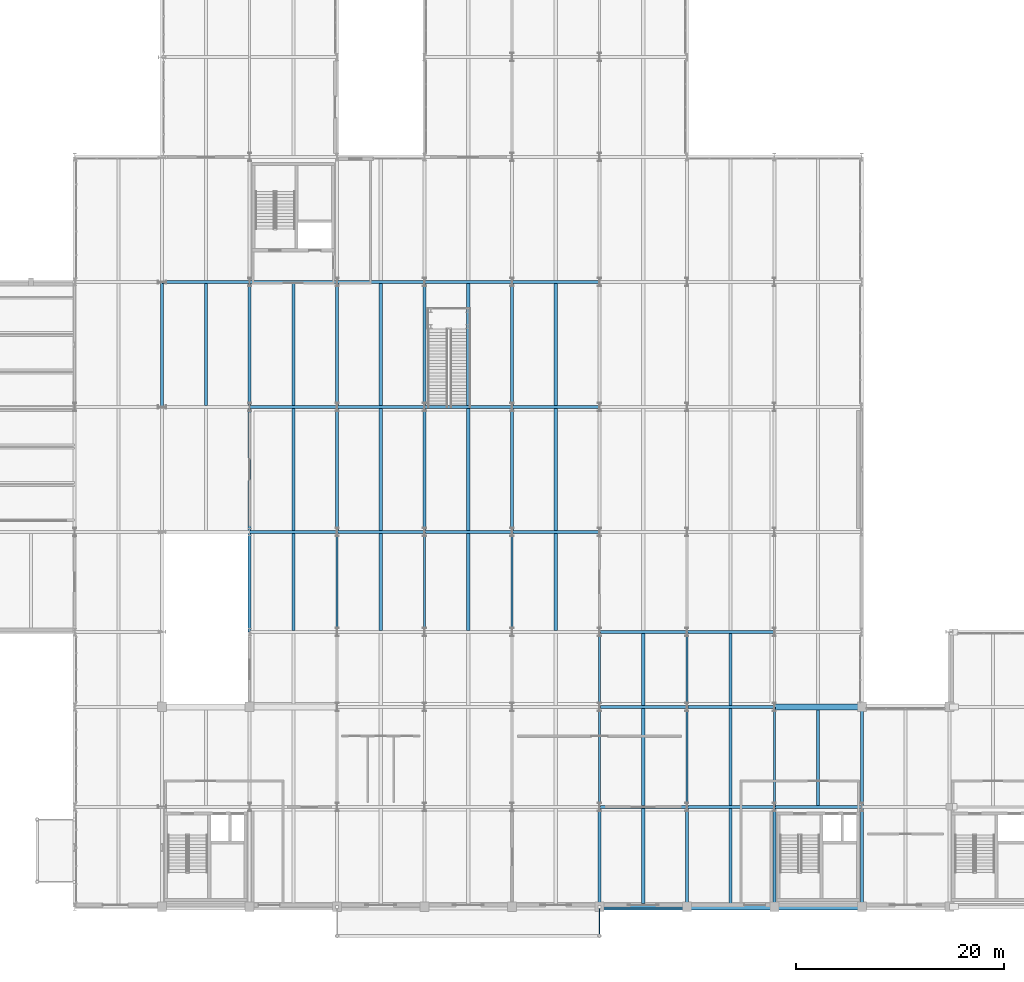
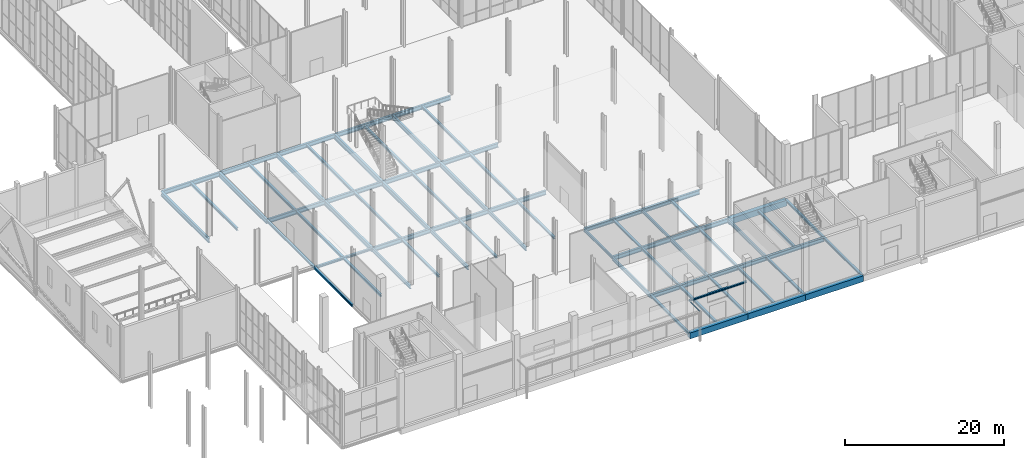
# One storey, part 25 of 131: 68 beams, 1 member.
"""IFC4 building model written with IfcOpenShell, lengths in metres."""

from ifc_helpers import new_model, si_unit, direction, frame, origin, origin_2d, place, context, subcontext, project, spatial, rectangle, hollow_rectangle, i_section, extrude, material, material_profile, profile_set, type_object, element, save


model = new_model("IFC4")

# Units and contexts
model_context = context("Model", 3, precision=1e-05, world=origin(), true_north=direction((0.0, 1.0)))
body_context = subcontext(model_context, "Body", "Model", "MODEL_VIEW")
ifc_project = project(units=[si_unit("LENGTHUNIT", "METRE"), si_unit("AREAUNIT", "SQUARE_METRE"), si_unit("VOLUMEUNIT", "CUBIC_METRE"), si_unit("PLANEANGLEUNIT", "RADIAN"), si_unit("MASSUNIT", "GRAM", prefix="KILO")], contexts=[model_context])

# Site, building, storey
site_placement = place(None, origin())
site = spatial("IfcSite", under=ifc_project, at=site_placement, CompositionType="ELEMENT")
building_placement = place(site_placement, origin())
building = spatial("IfcBuilding", under=site, at=building_placement, Name="Veltarok Museum of Natural Sciences", CompositionType="ELEMENT")
storey_placement = place(building_placement, origin())
storey = spatial("IfcBuildingStorey", under=building, at=storey_placement, Name="L00", CompositionType="ELEMENT", Elevation=0.0)

# Beam
ifc_material_1 = material(Name="Steel S355J2", Category="steel")
ifc_material_profile_1 = material_profile(ifc_material_1, i_section(OverallWidth=0.300048828125, OverallDepth=0.800048828125, WebThickness=0.017578125, FlangeThickness=0.032958984375, FilletRadius=0.030029296875, at=origin_2d()), Name="HEB 800")
ifc_profile_set_1 = profile_set([ifc_material_profile_1], Name="Steel S355J2")
beam_type_1 = type_object("IfcBeamType", Name="Atrium Edge Transfer Girder HEB 800", PredefinedType="BEAM", material=ifc_profile_set_1)
beam_1_placement = place(storey_placement, frame((56.800048828125, 48.0, -0.699951171875), z_axis=(0.0, 1.0, 0.0), x_axis=(-1.0, 0.0, 0.0)))
element("IfcBeam", 1, at=beam_1_placement, inside=storey, type_object=beam_type_1, Name="Beam BM-G06 L00 7/F-G", PredefinedType="BEAM", context=body_context, shape_type="SweptSolid", body=[
    extrude(i_section(OverallWidth=0.300048828125, OverallDepth=0.800048828125, WebThickness=0.017578125, FlangeThickness=0.032958984375, FilletRadius=0.030029296875, at=origin_2d()), origin(), (0.0, 0.0, 1.0), 12.0),
])

# Member
ifc_material_profile_2 = material_profile(ifc_material_1, hollow_rectangle(XDim=0.06005859375, YDim=0.1201171875, WallThickness=0.0048828125, at=origin_2d()), Name="RHS 120x60x5")
ifc_profile_set_2 = profile_set([ifc_material_profile_2], Name="Steel S355J2")
member_type = type_object("IfcMemberType", Name="Canopy Glazing Purlin RHS 120x60x5", PredefinedType="PURLIN", material=ifc_profile_set_2)
member_placement = place(storey_placement, frame((73.60009765625, -2.800048828125, 4.5400390625), z_axis=(0.0, 1.0, 0.0), x_axis=(-1.0, 0.0, 0.0)))
element("IfcMember", 2, at=member_placement, inside=storey, type_object=member_type, Name="Canopy Purlin CAN-S-2", PredefinedType="PURLIN", context=body_context, shape_type="SweptSolid", body=[
    extrude(hollow_rectangle(XDim=0.06005859375, YDim=0.1201171875, WallThickness=0.0048828125, at=origin_2d()), origin(), (0.0, 0.0, 1.0), 2.800048828125),
])

# Beams
ifc_material_2 = material(Name="Concrete C40/50", Category="concrete")
ifc_material_profile_3 = material_profile(ifc_material_2, rectangle(XDim=0.60009765625, YDim=0.89990234375, at=origin_2d()), Name="RC 600x900")
ifc_profile_set_3 = profile_set([ifc_material_profile_3], Name="Concrete C40/50")
beam_type_2 = type_object("IfcBeamType", Name="Exposed Cabinet Perimeter Spandrel RC 600x900", PredefinedType="SPANDREL", material=ifc_profile_set_3)
for number, where, z_axis, x_axis, name in (
    (3, (73.60009765625, 0.0, -0.75), (1.0, 0.0, 0.0), (0.0, 1.0, 0.0), "Beam BM-SP01 L00 9-10/A"),
    (4, (82.0, 0.0, -0.75), (1.0, 0.0, 0.0), (0.0, 1.0, 0.0), "Beam BM-SP01 L00 10-11/A"),
):
    element("IfcBeam", number, at=place(storey_placement, frame(where, z_axis=z_axis, x_axis=x_axis)), inside=storey, type_object=beam_type_2, Name=name, PredefinedType="SPANDREL", context=body_context, shape_type="SweptSolid", body=[
        extrude(rectangle(XDim=0.60009765625, YDim=0.89990234375, at=origin_2d()), origin(), (0.0, 0.0, 1.0), 8.39990234375),
    ])
for number, where, z_axis, x_axis, name in (
    (5, (90.39990234375, 0.0, -0.75), (1.0, 0.0, 0.0), (0.0, 1.0, 0.0), "Beam BM-SP01 L00 11-12/A"),
    (6, (90.39990234375, 19.199951171875, -0.75), (1.0, 0.0, 0.0), (0.0, 1.0, 0.0), "Beam BM-SP01 L00 11-12/C"),
):
    element("IfcBeam", number, at=place(storey_placement, frame(where, z_axis=z_axis, x_axis=x_axis)), inside=storey, type_object=beam_type_2, Name=name, PredefinedType="SPANDREL", context=body_context, shape_type="SweptSolid", body=[
        extrude(rectangle(XDim=0.60009765625, YDim=0.89990234375, at=origin_2d()), origin(), (0.0, 0.0, 1.0), 8.400146484375),
    ])
ifc_material_profile_4 = material_profile(ifc_material_1, i_section(OverallWidth=0.300048828125, OverallDepth=0.389892578125, WebThickness=0.010986328125, FlangeThickness=0.01904296875, FilletRadius=0.027099609375, at=origin_2d()), Name="HEA 400")
ifc_profile_set_4 = profile_set([ifc_material_profile_4], Name="Steel S355J2")
beam_type_3 = type_object("IfcBeamType", Name="Heavy Archive Joist HEA 400", PredefinedType="JOIST", material=ifc_profile_set_4)
for number, where, z_axis, x_axis, name in (
    (7, (35.800048828125, 48.14794921875, -0.4951171875), (0.0, 1.0, 0.0), (-1.0, 0.0, 0.0), "Secondary Joist BM-J06 L00 4-5/F-G.1"),
    (8, (44.199951171875, 36.14794921875, -0.4951171875), (0.0, 1.0, 0.0), (-1.0, 0.0, 0.0), "Secondary Joist BM-J06 L00 5-6/E-F.1"),
    (9, (44.199951171875, 48.14794921875, -0.4951171875), (0.0, 1.0, 0.0), (-1.0, 0.0, 0.0), "Secondary Joist BM-J06 L00 5-6/F-G.1"),
    (10, (52.60009765625, 36.14794921875, -0.4951171875), (0.0, 1.0, 0.0), (-1.0, 0.0, 0.0), "Secondary Joist BM-J06 L00 6-7/E-F.1"),
    (11, (52.60009765625, 48.14794921875, -0.4951171875), (0.0, 1.0, 0.0), (-1.0, 0.0, 0.0), "Secondary Joist BM-J06 L00 6-7/F-G.1"),
    (12, (61.0, 36.14794921875, -0.4951171875), (0.0, 1.0, 0.0), (-1.0, 0.0, 0.0), "Secondary Joist BM-J06 L00 7-8/E-F.1"),
    (13, (61.0, 48.14794921875, -0.4951171875), (0.0, 1.0, 0.0), (-1.0, 0.0, 0.0), "Secondary Joist BM-J06 L00 7-8/F-G.1"),
    (14, (69.39990234375, 36.14794921875, -0.4951171875), (0.0, 1.0, 0.0), (-1.0, 0.0, 0.0), "Secondary Joist BM-J06 L00 8-9/E-F.1"),
    (15, (69.39990234375, 48.14794921875, -0.4951171875), (0.0, 1.0, 0.0), (-1.0, 0.0, 0.0), "Secondary Joist BM-J06 L00 8-9/F-G.1"),
):
    element("IfcBeam", number, at=place(storey_placement, frame(where, z_axis=z_axis, x_axis=x_axis)), inside=storey, type_object=beam_type_3, Name=name, PredefinedType="JOIST", context=body_context, shape_type="SweptSolid", body=[
        extrude(i_section(OverallWidth=0.300048828125, OverallDepth=0.389892578125, WebThickness=0.010986328125, FlangeThickness=0.01904296875, FilletRadius=0.027099609375, at=origin_2d()), origin(), (0.0, 0.0, 1.0), 11.7041015625),
    ])
ifc_material_profile_5 = material_profile(ifc_material_1, i_section(OverallWidth=0.300048828125, OverallDepth=0.64990234375, WebThickness=0.01611328125, FlangeThickness=0.031005859375, FilletRadius=0.027099609375, at=origin_2d()), Name="HEB 650")
ifc_profile_set_5 = profile_set([ifc_material_profile_5], Name="Steel S355J2")
beam_type_4 = type_object("IfcBeamType", Name="Heavy Spine Girder HEB 650", PredefinedType="BEAM", material=ifc_profile_set_5)
for number, where, z_axis, x_axis, name in (
    (16, (73.60009765625, 9.60009765625, -0.625), (1.0, 0.0, 0.0), (0.0, 1.0, 0.0), "Beam BM-G11 L00 9-10/B"),
    (17, (82.0, 9.60009765625, -0.625), (1.0, 0.0, 0.0), (0.0, 1.0, 0.0), "Beam BM-G11 L00 10-11/B"),
):
    element("IfcBeam", number, at=place(storey_placement, frame(where, z_axis=z_axis, x_axis=x_axis)), inside=storey, type_object=beam_type_4, Name=name, PredefinedType="BEAM", context=body_context, shape_type="SweptSolid", body=[
        extrude(i_section(OverallWidth=0.300048828125, OverallDepth=0.64990234375, WebThickness=0.01611328125, FlangeThickness=0.031005859375, FilletRadius=0.027099609375, at=origin_2d()), origin(), (0.0, 0.0, 1.0), 8.39990234375),
    ])
beam_2_placement = place(storey_placement, frame((90.39990234375, 9.60009765625, -0.625), z_axis=(1.0, 0.0, 0.0), x_axis=(0.0, 1.0, 0.0)))
element("IfcBeam", 18, at=beam_2_placement, inside=storey, type_object=beam_type_4, Name="Beam BM-G11 L00 11-12/B", PredefinedType="BEAM", context=body_context, shape_type="SweptSolid", body=[
    extrude(i_section(OverallWidth=0.300048828125, OverallDepth=0.64990234375, WebThickness=0.01611328125, FlangeThickness=0.031005859375, FilletRadius=0.027099609375, at=origin_2d()), origin(), (0.0, 0.0, 1.0), 8.400146484375),
])
for number, where, z_axis, x_axis, name in (
    (19, (73.60009765625, 19.199951171875, -0.625), (1.0, 0.0, 0.0), (0.0, 1.0, 0.0), "Beam BM-G11 L00 9-10/C"),
    (20, (82.0, 19.199951171875, -0.625), (1.0, 0.0, 0.0), (0.0, 1.0, 0.0), "Beam BM-G11 L00 10-11/C"),
    (21, (73.60009765625, 26.39990234375, -0.625), (1.0, 0.0, 0.0), (0.0, 1.0, 0.0), "Beam BM-G11 L00 9-10/D"),
    (22, (82.0, 26.39990234375, -0.625), (1.0, 0.0, 0.0), (0.0, 1.0, 0.0), "Beam BM-G11 L00 10-11/D"),
):
    element("IfcBeam", number, at=place(storey_placement, frame(where, z_axis=z_axis, x_axis=x_axis)), inside=storey, type_object=beam_type_4, Name=name, PredefinedType="BEAM", context=body_context, shape_type="SweptSolid", body=[
        extrude(i_section(OverallWidth=0.300048828125, OverallDepth=0.64990234375, WebThickness=0.01611328125, FlangeThickness=0.031005859375, FilletRadius=0.027099609375, at=origin_2d()), origin(), (0.0, 0.0, 1.0), 8.39990234375),
    ])
beam_3_placement = place(storey_placement, frame((48.39990234375, 36.0, -0.625), z_axis=(1.0, 0.0, 0.0), x_axis=(0.0, 1.0, 0.0)))
element("IfcBeam", 23, at=beam_3_placement, inside=storey, type_object=beam_type_4, Name="Beam BM-G11 L00 6-7/E", PredefinedType="BEAM", context=body_context, shape_type="SweptSolid", body=[
    extrude(i_section(OverallWidth=0.300048828125, OverallDepth=0.64990234375, WebThickness=0.01611328125, FlangeThickness=0.031005859375, FilletRadius=0.027099609375, at=origin_2d()), origin(), (0.0, 0.0, 1.0), 8.400146484375),
])
beam_4_placement = place(storey_placement, frame((56.800048828125, 36.0, -0.625), z_axis=(1.0, 0.0, 0.0), x_axis=(0.0, 1.0, 0.0)))
element("IfcBeam", 24, at=beam_4_placement, inside=storey, type_object=beam_type_4, Name="Beam BM-G11 L00 7-8/E", PredefinedType="BEAM", context=body_context, shape_type="SweptSolid", body=[
    extrude(i_section(OverallWidth=0.300048828125, OverallDepth=0.64990234375, WebThickness=0.01611328125, FlangeThickness=0.031005859375, FilletRadius=0.027099609375, at=origin_2d()), origin(), (0.0, 0.0, 1.0), 8.39990234375),
])
beam_5_placement = place(storey_placement, frame((65.199951171875, 36.0, -0.625), z_axis=(1.0, 0.0, 0.0), x_axis=(0.0, 1.0, 0.0)))
element("IfcBeam", 25, at=beam_5_placement, inside=storey, type_object=beam_type_4, Name="Beam BM-G11 L00 8-9/E", PredefinedType="BEAM", context=body_context, shape_type="SweptSolid", body=[
    extrude(i_section(OverallWidth=0.300048828125, OverallDepth=0.64990234375, WebThickness=0.01611328125, FlangeThickness=0.031005859375, FilletRadius=0.027099609375, at=origin_2d()), origin(), (0.0, 0.0, 1.0), 8.400146484375),
])
beam_6_placement = place(storey_placement, frame((40.0, 48.0, -0.625), z_axis=(1.0, 0.0, 0.0), x_axis=(0.0, 1.0, 0.0)))
element("IfcBeam", 26, at=beam_6_placement, inside=storey, type_object=beam_type_4, Name="Beam BM-G11 L00 5-6/F", PredefinedType="BEAM", context=body_context, shape_type="SweptSolid", body=[
    extrude(i_section(OverallWidth=0.300048828125, OverallDepth=0.64990234375, WebThickness=0.01611328125, FlangeThickness=0.031005859375, FilletRadius=0.027099609375, at=origin_2d()), origin(), (0.0, 0.0, 1.0), 8.39990234375),
])
beam_7_placement = place(storey_placement, frame((48.39990234375, 48.0, -0.625), z_axis=(1.0, 0.0, 0.0), x_axis=(0.0, 1.0, 0.0)))
element("IfcBeam", 27, at=beam_7_placement, inside=storey, type_object=beam_type_4, Name="Beam BM-G11 L00 6-7/F", PredefinedType="BEAM", context=body_context, shape_type="SweptSolid", body=[
    extrude(i_section(OverallWidth=0.300048828125, OverallDepth=0.64990234375, WebThickness=0.01611328125, FlangeThickness=0.031005859375, FilletRadius=0.027099609375, at=origin_2d()), origin(), (0.0, 0.0, 1.0), 8.400146484375),
])
beam_8_placement = place(storey_placement, frame((56.800048828125, 48.0, -0.625), z_axis=(1.0, 0.0, 0.0), x_axis=(0.0, 1.0, 0.0)))
element("IfcBeam", 28, at=beam_8_placement, inside=storey, type_object=beam_type_4, Name="Beam BM-G11 L00 7-8/F", PredefinedType="BEAM", context=body_context, shape_type="SweptSolid", body=[
    extrude(i_section(OverallWidth=0.300048828125, OverallDepth=0.64990234375, WebThickness=0.01611328125, FlangeThickness=0.031005859375, FilletRadius=0.027099609375, at=origin_2d()), origin(), (0.0, 0.0, 1.0), 8.39990234375),
])
beam_9_placement = place(storey_placement, frame((65.199951171875, 48.0, -0.625), z_axis=(1.0, 0.0, 0.0), x_axis=(0.0, 1.0, 0.0)))
element("IfcBeam", 29, at=beam_9_placement, inside=storey, type_object=beam_type_4, Name="Beam BM-G11 L00 8-9/F", PredefinedType="BEAM", context=body_context, shape_type="SweptSolid", body=[
    extrude(i_section(OverallWidth=0.300048828125, OverallDepth=0.64990234375, WebThickness=0.01611328125, FlangeThickness=0.031005859375, FilletRadius=0.027099609375, at=origin_2d()), origin(), (0.0, 0.0, 1.0), 8.400146484375),
])
for number, where, z_axis, x_axis, name in (
    (30, (31.60009765625, 60.0, -0.625), (1.0, 0.0, 0.0), (0.0, 1.0, 0.0), "Beam BM-G11 L00 4-5/G"),
    (31, (40.0, 60.0, -0.625), (1.0, 0.0, 0.0), (0.0, 1.0, 0.0), "Beam BM-G11 L00 5-6/G"),
):
    element("IfcBeam", number, at=place(storey_placement, frame(where, z_axis=z_axis, x_axis=x_axis)), inside=storey, type_object=beam_type_4, Name=name, PredefinedType="BEAM", context=body_context, shape_type="SweptSolid", body=[
        extrude(i_section(OverallWidth=0.300048828125, OverallDepth=0.64990234375, WebThickness=0.01611328125, FlangeThickness=0.031005859375, FilletRadius=0.027099609375, at=origin_2d()), origin(), (0.0, 0.0, 1.0), 8.39990234375),
    ])
beam_10_placement = place(storey_placement, frame((48.39990234375, 60.0, -0.625), z_axis=(1.0, 0.0, 0.0), x_axis=(0.0, 1.0, 0.0)))
element("IfcBeam", 32, at=beam_10_placement, inside=storey, type_object=beam_type_4, Name="Beam BM-G11 L00 6-7/G", PredefinedType="BEAM", context=body_context, shape_type="SweptSolid", body=[
    extrude(i_section(OverallWidth=0.300048828125, OverallDepth=0.64990234375, WebThickness=0.01611328125, FlangeThickness=0.031005859375, FilletRadius=0.027099609375, at=origin_2d()), origin(), (0.0, 0.0, 1.0), 8.400146484375),
])
beam_11_placement = place(storey_placement, frame((56.800048828125, 60.0, -0.625), z_axis=(1.0, 0.0, 0.0), x_axis=(0.0, 1.0, 0.0)))
element("IfcBeam", 33, at=beam_11_placement, inside=storey, type_object=beam_type_4, Name="Beam BM-G11 L00 7-8/G", PredefinedType="BEAM", context=body_context, shape_type="SweptSolid", body=[
    extrude(i_section(OverallWidth=0.300048828125, OverallDepth=0.64990234375, WebThickness=0.01611328125, FlangeThickness=0.031005859375, FilletRadius=0.027099609375, at=origin_2d()), origin(), (0.0, 0.0, 1.0), 8.39990234375),
])
beam_12_placement = place(storey_placement, frame((65.199951171875, 60.0, -0.625), z_axis=(1.0, 0.0, 0.0), x_axis=(0.0, 1.0, 0.0)))
element("IfcBeam", 34, at=beam_12_placement, inside=storey, type_object=beam_type_4, Name="Beam BM-G11 L00 8-9/G", PredefinedType="BEAM", context=body_context, shape_type="SweptSolid", body=[
    extrude(i_section(OverallWidth=0.300048828125, OverallDepth=0.64990234375, WebThickness=0.01611328125, FlangeThickness=0.031005859375, FilletRadius=0.027099609375, at=origin_2d()), origin(), (0.0, 0.0, 1.0), 8.400146484375),
])
ifc_material_profile_6 = material_profile(ifc_material_1, i_section(OverallWidth=0.18994140625, OverallDepth=0.449951171875, WebThickness=0.009521484375, FlangeThickness=0.0146484375, FilletRadius=0.02099609375, at=origin_2d()), Name="IPE 450")
ifc_profile_set_6 = profile_set([ifc_material_profile_6], Name="Steel S355J2")
beam_type_5 = type_object("IfcBeamType", Name="Laboratory Floor Girder IPE 450", PredefinedType="BEAM", material=ifc_profile_set_6)
for number, where, z_axis, x_axis, name in (
    (35, (73.60009765625, 19.199951171875, -0.52490234375), (0.0, 1.0, 0.0), (-1.0, 0.0, 0.0), "Beam BM-G05 L00 9/C-D"),
    (36, (82.0, 19.199951171875, -0.52490234375), (0.0, 1.0, 0.0), (-1.0, 0.0, 0.0), "Beam BM-G05 L00 10/C-D"),
):
    element("IfcBeam", number, at=place(storey_placement, frame(where, z_axis=z_axis, x_axis=x_axis)), inside=storey, type_object=beam_type_5, Name=name, PredefinedType="BEAM", context=body_context, shape_type="SweptSolid", body=[
        extrude(i_section(OverallWidth=0.18994140625, OverallDepth=0.449951171875, WebThickness=0.009521484375, FlangeThickness=0.0146484375, FilletRadius=0.02099609375, at=origin_2d()), origin(), (0.0, 0.0, 1.0), 7.199951171875),
    ])
ifc_material_profile_7 = material_profile(ifc_material_1, i_section(OverallWidth=0.300048828125, OverallDepth=0.300048828125, WebThickness=0.010986328125, FlangeThickness=0.01904296875, FilletRadius=0.027099609375, at=origin_2d()), Name="HEB 300")
ifc_profile_set_7 = profile_set([ifc_material_profile_7], Name="Steel S355J2")
beam_type_6 = type_object("IfcBeamType", Name="Laboratory Floor Joist HEB 300", PredefinedType="JOIST", material=ifc_profile_set_7)
for number, where, z_axis, x_axis, name in (
    (37, (77.800048828125, 19.347900390625, -0.449951171875), (0.0, 1.0, 0.0), (-1.0, 0.0, 0.0), "Secondary Joist BM-J10 L00 9-10/C-D.1"),
    (38, (86.199951171875, 19.347900390625, -0.449951171875), (0.0, 1.0, 0.0), (-1.0, 0.0, 0.0), "Secondary Joist BM-J10 L00 10-11/C-D.1"),
):
    element("IfcBeam", number, at=place(storey_placement, frame(where, z_axis=z_axis, x_axis=x_axis)), inside=storey, type_object=beam_type_6, Name=name, PredefinedType="JOIST", context=body_context, shape_type="SweptSolid", body=[
        extrude(i_section(OverallWidth=0.300048828125, OverallDepth=0.300048828125, WebThickness=0.010986328125, FlangeThickness=0.01904296875, FilletRadius=0.027099609375, at=origin_2d()), origin(), (0.0, 0.0, 1.0), 6.904052734375),
    ])
ifc_material_profile_8 = material_profile(ifc_material_1, i_section(OverallWidth=0.300048828125, OverallDepth=0.35009765625, WebThickness=0.010009765625, FlangeThickness=0.017578125, FilletRadius=0.027099609375, at=origin_2d()), Name="HEA 360")
ifc_profile_set_8 = profile_set([ifc_material_profile_8], Name="Steel S355J2")
beam_type_7 = type_object("IfcBeamType", Name="Long-Span Gallery Joist HEA 360", PredefinedType="JOIST", material=ifc_profile_set_8)
for number, where, z_axis, x_axis, name in (
    (39, (44.199951171875, 26.548095703125, -0.47509765625), (0.0, 1.0, 0.0), (-1.0, 0.0, 0.0), "Secondary Joist BM-J07 L00 5-6/D-E.1"),
    (40, (52.60009765625, 26.548095703125, -0.47509765625), (0.0, 1.0, 0.0), (-1.0, 0.0, 0.0), "Secondary Joist BM-J07 L00 6-7/D-E.1"),
    (41, (61.0, 26.548095703125, -0.47509765625), (0.0, 1.0, 0.0), (-1.0, 0.0, 0.0), "Secondary Joist BM-J07 L00 7-8/D-E.1"),
    (42, (69.39990234375, 26.548095703125, -0.47509765625), (0.0, 1.0, 0.0), (-1.0, 0.0, 0.0), "Secondary Joist BM-J07 L00 8-9/D-E.1"),
):
    element("IfcBeam", number, at=place(storey_placement, frame(where, z_axis=z_axis, x_axis=x_axis)), inside=storey, type_object=beam_type_7, Name=name, PredefinedType="JOIST", context=body_context, shape_type="SweptSolid", body=[
        extrude(i_section(OverallWidth=0.300048828125, OverallDepth=0.35009765625, WebThickness=0.010009765625, FlangeThickness=0.017578125, FilletRadius=0.027099609375, at=origin_2d()), origin(), (0.0, 0.0, 1.0), 9.303955078125),
    ])
beam_13_placement = place(storey_placement, frame((77.800048828125, 0.298095703125, -0.47509765625), z_axis=(0.0, 1.0, 0.0), x_axis=(-1.0, 0.0, 0.0)))
element("IfcBeam", 43, at=beam_13_placement, inside=storey, type_object=beam_type_7, Name="Secondary Joist BM-J07 L00 9-10/A-B.1", PredefinedType="JOIST", context=body_context, shape_type="SweptSolid", body=[
    extrude(i_section(OverallWidth=0.300048828125, OverallDepth=0.35009765625, WebThickness=0.010009765625, FlangeThickness=0.017578125, FilletRadius=0.027099609375, at=origin_2d()), origin(), (0.0, 0.0, 1.0), 9.15380859375),
])
beam_14_placement = place(storey_placement, frame((77.800048828125, 9.748046875, -0.47509765625), z_axis=(0.0, 1.0, 0.0), x_axis=(-1.0, 0.0, 0.0)))
element("IfcBeam", 44, at=beam_14_placement, inside=storey, type_object=beam_type_7, Name="Secondary Joist BM-J07 L00 9-10/B-C.1", PredefinedType="JOIST", context=body_context, shape_type="SweptSolid", body=[
    extrude(i_section(OverallWidth=0.300048828125, OverallDepth=0.35009765625, WebThickness=0.010009765625, FlangeThickness=0.017578125, FilletRadius=0.027099609375, at=origin_2d()), origin(), (0.0, 0.0, 1.0), 9.303955078125),
])
beam_15_placement = place(storey_placement, frame((86.199951171875, 0.298095703125, -0.47509765625), z_axis=(0.0, 1.0, 0.0), x_axis=(-1.0, 0.0, 0.0)))
element("IfcBeam", 45, at=beam_15_placement, inside=storey, type_object=beam_type_7, Name="Secondary Joist BM-J07 L00 10-11/A-B.1", PredefinedType="JOIST", context=body_context, shape_type="SweptSolid", body=[
    extrude(i_section(OverallWidth=0.300048828125, OverallDepth=0.35009765625, WebThickness=0.010009765625, FlangeThickness=0.017578125, FilletRadius=0.027099609375, at=origin_2d()), origin(), (0.0, 0.0, 1.0), 9.15380859375),
])
beam_16_placement = place(storey_placement, frame((86.199951171875, 9.748046875, -0.47509765625), z_axis=(0.0, 1.0, 0.0), x_axis=(-1.0, 0.0, 0.0)))
element("IfcBeam", 46, at=beam_16_placement, inside=storey, type_object=beam_type_7, Name="Secondary Joist BM-J07 L00 10-11/B-C.1", PredefinedType="JOIST", context=body_context, shape_type="SweptSolid", body=[
    extrude(i_section(OverallWidth=0.300048828125, OverallDepth=0.35009765625, WebThickness=0.010009765625, FlangeThickness=0.017578125, FilletRadius=0.027099609375, at=origin_2d()), origin(), (0.0, 0.0, 1.0), 9.303955078125),
])
beam_17_placement = place(storey_placement, frame((94.60009765625, 9.748046875, -0.47509765625), z_axis=(0.0, 1.0, 0.0), x_axis=(-1.0, 0.0, 0.0)))
element("IfcBeam", 47, at=beam_17_placement, inside=storey, type_object=beam_type_7, Name="Secondary Joist BM-J07 L00 11-12/B-C.1", PredefinedType="JOIST", context=body_context, shape_type="SweptSolid", body=[
    extrude(i_section(OverallWidth=0.300048828125, OverallDepth=0.35009765625, WebThickness=0.010009765625, FlangeThickness=0.017578125, FilletRadius=0.027099609375, at=origin_2d()), origin(), (0.0, 0.0, 1.0), 9.154052734375),
])
ifc_material_profile_9 = material_profile(ifc_material_1, i_section(OverallWidth=0.300048828125, OverallDepth=0.699951171875, WebThickness=0.01708984375, FlangeThickness=0.031982421875, FilletRadius=0.027099609375, at=origin_2d()), Name="HEB 700")
ifc_profile_set_9 = profile_set([ifc_material_profile_9], Name="Steel S355J2")
beam_type_8 = type_object("IfcBeamType", Name="Long-Span Hall Girder HEB 700", PredefinedType="BEAM", material=ifc_profile_set_9)
for number, where, z_axis, x_axis, name in (
    (48, (31.60009765625, 48.0, -0.64990234375), (0.0, 1.0, 0.0), (-1.0, 0.0, 0.0), "Beam BM-G01 L00 4/F-G"),
    (49, (40.0, 48.0, -0.64990234375), (0.0, 1.0, 0.0), (-1.0, 0.0, 0.0), "Beam BM-G01 L00 5/F-G"),
    (50, (48.39990234375, 36.0, -0.64990234375), (0.0, 1.0, 0.0), (-1.0, 0.0, 0.0), "Beam BM-G01 L00 6/E-F"),
    (51, (48.39990234375, 48.0, -0.64990234375), (0.0, 1.0, 0.0), (-1.0, 0.0, 0.0), "Beam BM-G01 L00 6/F-G"),
    (52, (56.800048828125, 36.0, -0.64990234375), (0.0, 1.0, 0.0), (-1.0, 0.0, 0.0), "Beam BM-G01 L00 7/E-F"),
    (53, (65.199951171875, 36.0, -0.64990234375), (0.0, 1.0, 0.0), (-1.0, 0.0, 0.0), "Beam BM-G01 L00 8/E-F"),
    (54, (65.199951171875, 48.0, -0.64990234375), (0.0, 1.0, 0.0), (-1.0, 0.0, 0.0), "Beam BM-G01 L00 8/F-G"),
):
    element("IfcBeam", number, at=place(storey_placement, frame(where, z_axis=z_axis, x_axis=x_axis)), inside=storey, type_object=beam_type_8, Name=name, PredefinedType="BEAM", context=body_context, shape_type="SweptSolid", body=[
        extrude(i_section(OverallWidth=0.300048828125, OverallDepth=0.699951171875, WebThickness=0.01708984375, FlangeThickness=0.031982421875, FilletRadius=0.027099609375, at=origin_2d()), origin(), (0.0, 0.0, 1.0), 12.0),
    ])
ifc_material_profile_10 = material_profile(ifc_material_1, i_section(OverallWidth=0.300048828125, OverallDepth=0.340087890625, WebThickness=0.011962890625, FlangeThickness=0.021484375, FilletRadius=0.027099609375, at=origin_2d()), Name="HEB 340")
ifc_profile_set_10 = profile_set([ifc_material_profile_10], Name="Steel S355J2")
beam_type_9 = type_object("IfcBeamType", Name="Perimeter Bridge Spandrel HEB 340", PredefinedType="SPANDREL", material=ifc_profile_set_10)
beam_18_placement = place(storey_placement, frame((40.0, 36.0, -0.469970703125), z_axis=(1.0, 0.0, 0.0), x_axis=(0.0, 1.0, 0.0)))
element("IfcBeam", 55, at=beam_18_placement, inside=storey, type_object=beam_type_9, Name="Beam BM-SP07 L00 5-6/E", PredefinedType="SPANDREL", context=body_context, shape_type="SweptSolid", body=[
    extrude(i_section(OverallWidth=0.300048828125, OverallDepth=0.340087890625, WebThickness=0.011962890625, FlangeThickness=0.021484375, FilletRadius=0.027099609375, at=origin_2d()), origin(), (0.0, 0.0, 1.0), 8.39990234375),
])
beam_19_placement = place(storey_placement, frame((40.0, 26.39990234375, -0.469970703125), z_axis=(0.0, 1.0, 0.0), x_axis=(-1.0, 0.0, 0.0)))
element("IfcBeam", 56, at=beam_19_placement, inside=storey, type_object=beam_type_9, Name="Beam BM-SP07 L00 5/D-E", PredefinedType="SPANDREL", context=body_context, shape_type="SweptSolid", body=[
    extrude(i_section(OverallWidth=0.300048828125, OverallDepth=0.340087890625, WebThickness=0.011962890625, FlangeThickness=0.021484375, FilletRadius=0.027099609375, at=origin_2d()), origin(), (0.0, 0.0, 1.0), 9.60009765625),
])
beam_20_placement = place(storey_placement, frame((40.0, 36.0, -0.469970703125), z_axis=(0.0, 1.0, 0.0), x_axis=(-1.0, 0.0, 0.0)))
element("IfcBeam", 57, at=beam_20_placement, inside=storey, type_object=beam_type_9, Name="Beam BM-SP07 L00 5/E-F", PredefinedType="SPANDREL", context=body_context, shape_type="SweptSolid", body=[
    extrude(i_section(OverallWidth=0.300048828125, OverallDepth=0.340087890625, WebThickness=0.011962890625, FlangeThickness=0.021484375, FilletRadius=0.027099609375, at=origin_2d()), origin(), (0.0, 0.0, 1.0), 12.0),
])
for number, where, z_axis, x_axis, name in (
    (58, (73.60009765625, 0.0, -0.469970703125), (0.0, 1.0, 0.0), (-1.0, 0.0, 0.0), "Beam BM-SP07 L00 9/A-B"),
    (59, (82.0, 0.0, -0.469970703125), (0.0, 1.0, 0.0), (-1.0, 0.0, 0.0), "Beam BM-SP07 L00 10/A-B"),
    (60, (90.39990234375, 0.0, -0.469970703125), (0.0, 1.0, 0.0), (-1.0, 0.0, 0.0), "Beam BM-SP07 L00 11/A-B"),
    (61, (98.800048828125, 0.0, -0.469970703125), (0.0, 1.0, 0.0), (-1.0, 0.0, 0.0), "Beam BM-SP07 L00 12/A-B"),
):
    element("IfcBeam", number, at=place(storey_placement, frame(where, z_axis=z_axis, x_axis=x_axis)), inside=storey, type_object=beam_type_9, Name=name, PredefinedType="SPANDREL", context=body_context, shape_type="SweptSolid", body=[
        extrude(i_section(OverallWidth=0.300048828125, OverallDepth=0.340087890625, WebThickness=0.011962890625, FlangeThickness=0.021484375, FilletRadius=0.027099609375, at=origin_2d()), origin(), (0.0, 0.0, 1.0), 9.60009765625),
    ])
beam_21_placement = place(storey_placement, frame((98.800048828125, 9.60009765625, -0.469970703125), z_axis=(0.0, 1.0, 0.0), x_axis=(-1.0, 0.0, 0.0)))
element("IfcBeam", 62, at=beam_21_placement, inside=storey, type_object=beam_type_9, Name="Beam BM-SP07 L00 12/B-C", PredefinedType="SPANDREL", context=body_context, shape_type="SweptSolid", body=[
    extrude(i_section(OverallWidth=0.300048828125, OverallDepth=0.340087890625, WebThickness=0.011962890625, FlangeThickness=0.021484375, FilletRadius=0.027099609375, at=origin_2d()), origin(), (0.0, 0.0, 1.0), 9.599853515625),
])
ifc_material_profile_11 = material_profile(ifc_material_1, i_section(OverallWidth=0.260009765625, OverallDepth=0.25, WebThickness=0.007568359375, FlangeThickness=0.012451171875, FilletRadius=0.02392578125, at=origin_2d()), Name="HEA 260")
ifc_profile_set_11 = profile_set([ifc_material_profile_11], Name="Steel S355J2")
beam_type_10 = type_object("IfcBeamType", Name="Portal and Dock Lintel Beam HEA 260", PredefinedType="LINTEL", material=ifc_profile_set_11)
beam_22_placement = place(storey_placement, frame((73.60009765625, 0.0, 4.52490234375), z_axis=(1.0, 0.0, 0.0), x_axis=(0.0, 1.0, 0.0)))
element("IfcBeam", 63, at=beam_22_placement, inside=storey, type_object=beam_type_10, Name="Portal Lintel Beam LN-ENT-3", PredefinedType="LINTEL", context=body_context, shape_type="SweptSolid", body=[
    extrude(i_section(OverallWidth=0.260009765625, OverallDepth=0.25, WebThickness=0.007568359375, FlangeThickness=0.012451171875, FilletRadius=0.02392578125, at=origin_2d()), origin(), (0.0, 0.0, 1.0), 8.39990234375),
])
ifc_material_profile_12 = material_profile(ifc_material_1, i_section(OverallWidth=0.219970703125, OverallDepth=0.60009765625, WebThickness=0.011962890625, FlangeThickness=0.01904296875, FilletRadius=0.02392578125, at=origin_2d()), Name="IPE 600")
ifc_profile_set_12 = profile_set([ifc_material_profile_12], Name="Steel S355J2")
beam_type_11 = type_object("IfcBeamType", Name="Primary Museum Girder IPE 600", PredefinedType="BEAM", material=ifc_profile_set_12)
for number, where, z_axis, x_axis, name in (
    (64, (48.39990234375, 26.39990234375, -0.60009765625), (0.0, 1.0, 0.0), (-1.0, 0.0, 0.0), "Beam BM-G02 L00 6/D-E"),
    (65, (56.800048828125, 26.39990234375, -0.60009765625), (0.0, 1.0, 0.0), (-1.0, 0.0, 0.0), "Beam BM-G02 L00 7/D-E"),
    (66, (65.199951171875, 26.39990234375, -0.60009765625), (0.0, 1.0, 0.0), (-1.0, 0.0, 0.0), "Beam BM-G02 L00 8/D-E"),
):
    element("IfcBeam", number, at=place(storey_placement, frame(where, z_axis=z_axis, x_axis=x_axis)), inside=storey, type_object=beam_type_11, Name=name, PredefinedType="BEAM", context=body_context, shape_type="SweptSolid", body=[
        extrude(i_section(OverallWidth=0.219970703125, OverallDepth=0.60009765625, WebThickness=0.011962890625, FlangeThickness=0.01904296875, FilletRadius=0.02392578125, at=origin_2d()), origin(), (0.0, 0.0, 1.0), 9.60009765625),
    ])
for number, where, z_axis, x_axis, name in (
    (67, (73.60009765625, 9.60009765625, -0.60009765625), (0.0, 1.0, 0.0), (-1.0, 0.0, 0.0), "Beam BM-G02 L00 9/B-C"),
    (68, (82.0, 9.60009765625, -0.60009765625), (0.0, 1.0, 0.0), (-1.0, 0.0, 0.0), "Beam BM-G02 L00 10/B-C"),
    (69, (90.39990234375, 9.60009765625, -0.60009765625), (0.0, 1.0, 0.0), (-1.0, 0.0, 0.0), "Beam BM-G02 L00 11/B-C"),
):
    element("IfcBeam", number, at=place(storey_placement, frame(where, z_axis=z_axis, x_axis=x_axis)), inside=storey, type_object=beam_type_11, Name=name, PredefinedType="BEAM", context=body_context, shape_type="SweptSolid", body=[
        extrude(i_section(OverallWidth=0.219970703125, OverallDepth=0.60009765625, WebThickness=0.011962890625, FlangeThickness=0.01904296875, FilletRadius=0.02392578125, at=origin_2d()), origin(), (0.0, 0.0, 1.0), 9.599853515625),
    ])

save(model, "model.ifc")
